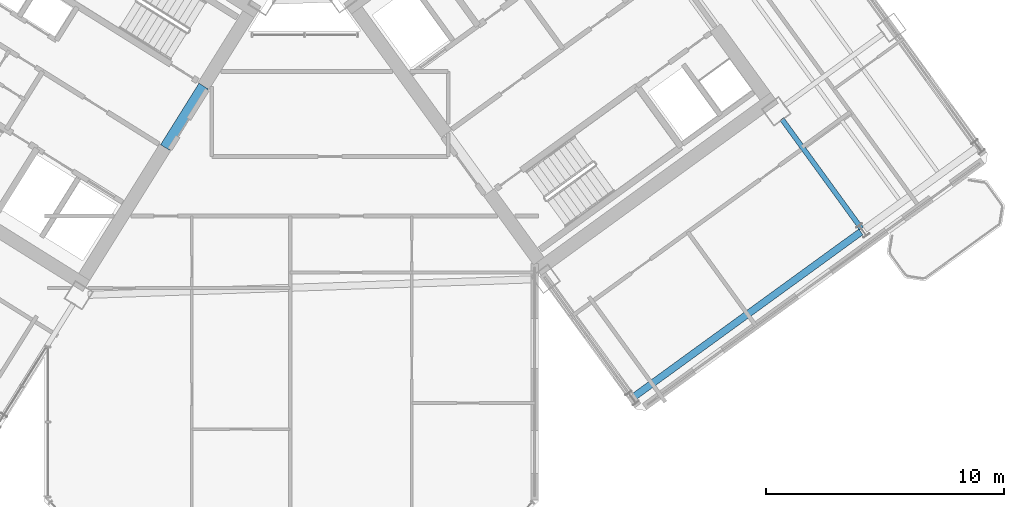
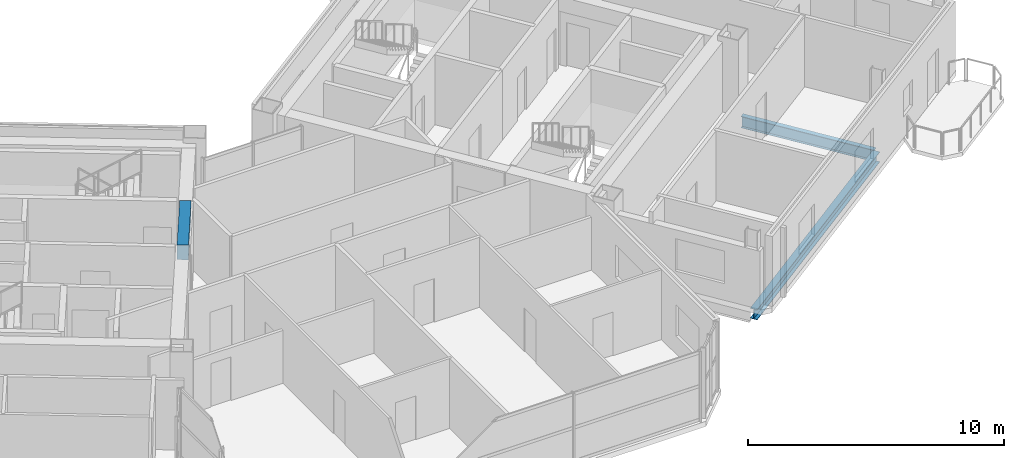
# One storey, part 11 of 29: 3 beams.
"""IFC4 building model written with IfcOpenShell, lengths in metres."""

from ifc_helpers import new_model, si_unit, direction, frame, origin, origin_2d, place, context, subcontext, project, spatial, rectangle, i_section, extrude, source, transform, mapped, material, material_profile, profile_set, type_object, element, save


model = new_model("IFC4")

# Units and contexts
model_context = context("Model", 3, precision=1e-05, world=origin(), true_north=direction((0.0, 1.0)))
body_context = subcontext(model_context, "Body", "Model", "MODEL_VIEW")
ifc_project = project(units=[si_unit("LENGTHUNIT", "METRE"), si_unit("AREAUNIT", "SQUARE_METRE"), si_unit("VOLUMEUNIT", "CUBIC_METRE"), si_unit("PLANEANGLEUNIT", "RADIAN"), si_unit("MASSUNIT", "GRAM", prefix="KILO")], contexts=[model_context])

# Site, building, storey
site_placement = place(None, origin())
site = spatial("IfcSite", under=ifc_project, at=site_placement, CompositionType="ELEMENT")
building_placement = place(site_placement, origin())
building = spatial("IfcBuilding", under=site, at=building_placement, Name="Tlacorven Tower", CompositionType="ELEMENT")
storey_placement = place(building_placement, frame((0.0, 0.0, 158.699951171875)))
storey = spatial("IfcBuildingStorey", under=building, at=storey_placement, Name="L40", CompositionType="ELEMENT", Elevation=158.699951171875)

# Beams
ifc_material_1 = material(Name="Concrete C60/75", Category="concrete")
ifc_material_profile_1 = material_profile(ifc_material_1, rectangle(XDim=0.449951171875, YDim=0.699951171875, at=origin_2d()), Name="RC 450X700")
ifc_profile_set_1 = profile_set([ifc_material_profile_1], Name="Concrete C60/75")
beam_type_1 = type_object("IfcBeamType", Name="BM-LNT-700", PredefinedType="LINTEL", material=ifc_profile_set_1)
shared_shape_1 = source(origin(), body_context, "Body", "SweptSolid", [
    extrude(rectangle(XDim=0.449951171875, YDim=0.699951171875, at=origin_2d()), origin(), (0.0, 0.0, 1.0), 3.050048828125),
])
beam_1_placement = place(storey_placement, frame((38.2998046875, 20.890625, 3.0), z_axis=(-0.529984549635, -0.848007297815, 0.0), x_axis=(0.848007297815, -0.529984549635, 0.0)))
element("IfcBeam", 1, at=beam_1_placement, inside=storey, type_object=beam_type_1, Name="L40 W core coupling lintel beam E1", PredefinedType="LINTEL", context=body_context, shape_type="MappedRepresentation", body=[
    mapped(shared_shape_1, transform((0.0, 0.0, 0.0), scale=1.0)),
])
ifc_material_2 = material(Name="Steel S355J2", Category="steel")
ifc_material_profile_2 = material_profile(ifc_material_2, i_section(OverallWidth=0.300048828125, OverallDepth=0.489990234375, WebThickness=0.011962890625, FlangeThickness=0.02294921875, at=origin_2d()), Name="HEA 500")
ifc_profile_set_2 = profile_set([ifc_material_profile_2], Name="Steel S355J2")
beam_type_2 = type_object("IfcBeamType", Name="BM-SPN-500", PredefinedType="SPANDREL", material=ifc_profile_set_2)
shared_shape_2 = source(origin(), body_context, "Body", "SweptSolid", [
    extrude(i_section(OverallWidth=0.300048828125, OverallDepth=0.489990234375, WebThickness=0.011962890625, FlangeThickness=0.02294921875, at=origin_2d()), origin(), (0.0, 0.0, 1.0), 11.800048828125),
])
beam_2_placement = place(storey_placement, frame((56.4306640625, 7.816162109375, -0.494873046875), z_axis=(0.80900977213, 0.587795192732, 0.0), x_axis=(-0.587795192732, 0.80900977213, 0.0)))
element("IfcBeam", 2, at=beam_2_placement, inside=storey, type_object=beam_type_2, Name="L40 beam BM-L40-EL1-1", PredefinedType="SPANDREL", context=body_context, shape_type="MappedRepresentation", body=[
    mapped(shared_shape_2, transform((0.0, 0.0, 0.0), scale=1.0)),
])
ifc_material_profile_3 = material_profile(ifc_material_2, i_section(OverallWidth=0.2099609375, OverallDepth=0.550048828125, WebThickness=0.010986328125, FlangeThickness=0.01708984375, at=origin_2d()), Name="IPE 550")
ifc_profile_set_3 = profile_set([ifc_material_profile_3], Name="Steel S355J2")
beam_type_3 = type_object("IfcBeamType", Name="BM-TWR-550", PredefinedType="BEAM", material=ifc_profile_set_3)
shared_shape_3 = source(origin(), body_context, "Body", "SweptSolid", [
    extrude(i_section(OverallWidth=0.2099609375, OverallDepth=0.550048828125, WebThickness=0.010986328125, FlangeThickness=0.01708984375, at=origin_2d()), origin(), (0.0, 0.0, 1.0), 5.699951171875),
])
beam_3_placement = place(storey_placement, frame((65.9990234375, 14.891845703125, -0.52490234375), z_axis=(-0.587787066966, 0.809015675935, 0.0), x_axis=(-0.809015675935, -0.587787066966, 0.0)))
element("IfcBeam", 3, at=beam_3_placement, inside=storey, type_object=beam_type_3, Name="L40 beam BM-L40-ET3-1", PredefinedType="BEAM", context=body_context, shape_type="MappedRepresentation", body=[
    mapped(shared_shape_3, transform((0.0, 0.0, 0.0), scale=1.0)),
])

save(model, "model.ifc")
